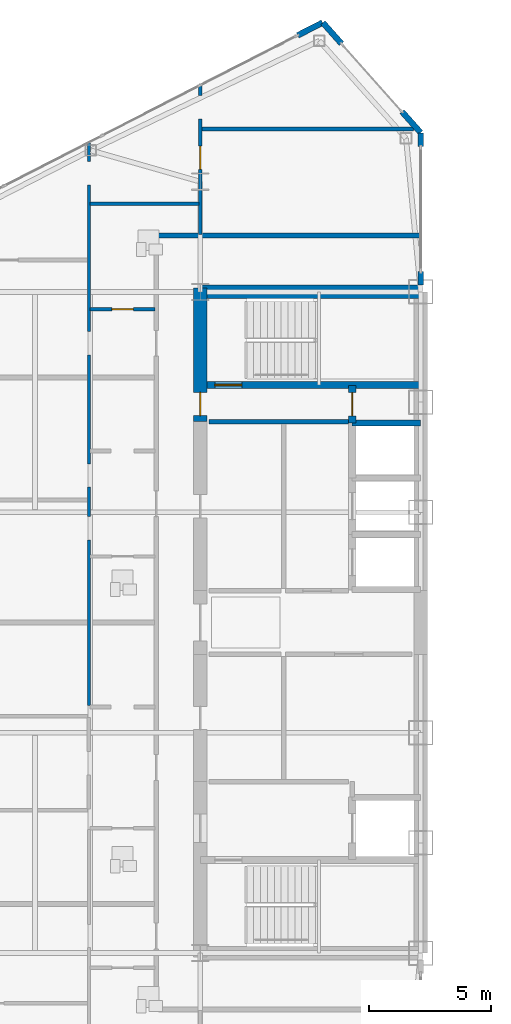
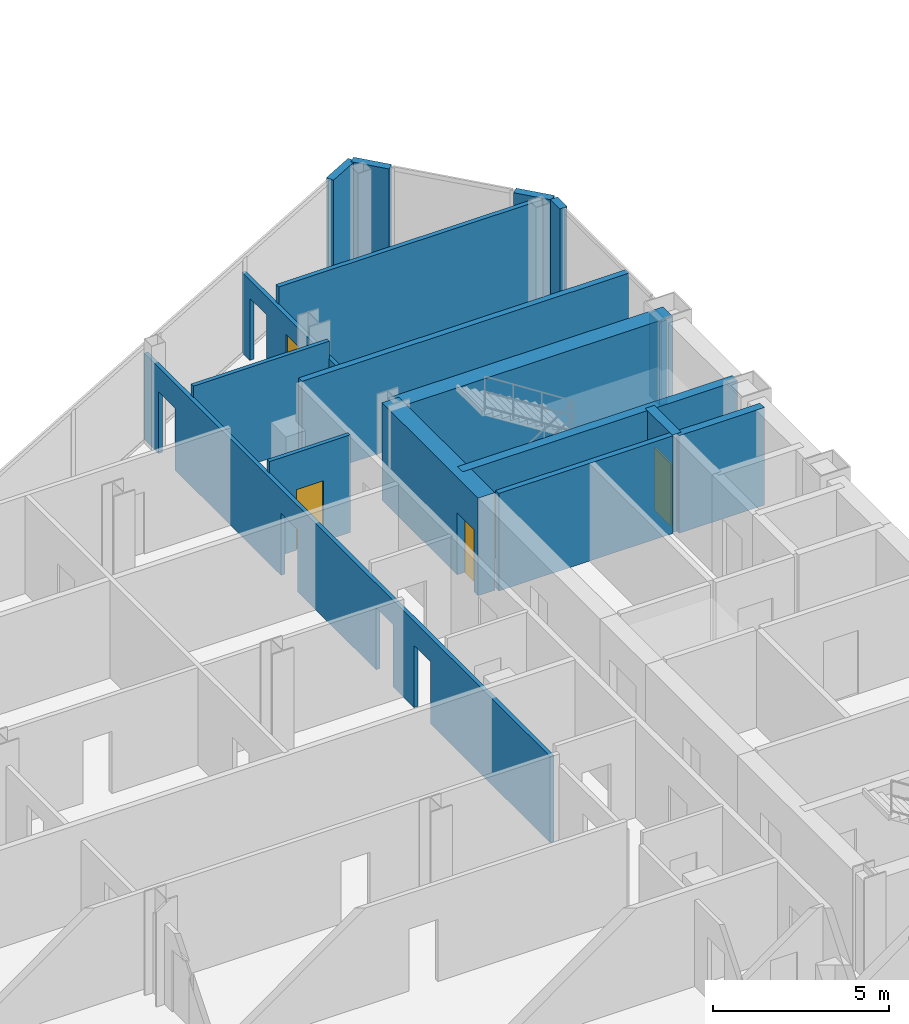
# One storey, part 17 of 23: 17 walls, 5 doors, 10 openings.
"""IFC4 building model written with IfcOpenShell, lengths in metres."""

from ifc_helpers import new_model, si_unit, direction, frame, frame_2d, origin, place, context, subcontext, project, spatial, rectangle, extrude, source, transform, mapped, material, layer, layer_set, type_object, type_shapes, element, fill, save


model = new_model("IFC4")

# Units and contexts
model_context = context("Model", 3, precision=1e-05, world=origin(), true_north=direction((0.0, 1.0)))
body_context = subcontext(model_context, "Body", "Model", "MODEL_VIEW")
ifc_project = project(units=[si_unit("LENGTHUNIT", "METRE"), si_unit("AREAUNIT", "SQUARE_METRE"), si_unit("VOLUMEUNIT", "CUBIC_METRE"), si_unit("PLANEANGLEUNIT", "RADIAN"), si_unit("MASSUNIT", "GRAM", prefix="KILO")], contexts=[model_context])

# Site, building, storey
site_placement = place(None, origin())
site = spatial("IfcSite", under=ifc_project, at=site_placement, CompositionType="ELEMENT")
building_placement = place(site_placement, origin())
building = spatial("IfcBuilding", under=site, at=building_placement, Name="Seokmaru Belvedere", CompositionType="ELEMENT")
storey_placement = place(building_placement, frame((0.0, 0.0, 144.0)))
storey = spatial("IfcBuildingStorey", under=building, at=storey_placement, Name="L38", CompositionType="ELEMENT", Elevation=144.0)

# Walls
ifc_material_1 = material(Name="Fire-Rated Gypsum Shaftwall")
ifc_layer_1 = layer(ifc_material_1, 0.14990234375)
ifc_layer_set_1 = layer_set([ifc_layer_1], Name="Fire-Rated Gypsum Shaftwall")
wall_type_1 = type_object("IfcWallType", Name="Apartment Fire-Acoustic Room Partition 150", PredefinedType="PARTITIONING", material=ifc_layer_set_1)
wall_1_placement = place(storey_placement, frame((-36.449951171875, 20.14990234375, 0.0), z_axis=(0.0, 0.0, 1.0), x_axis=(1.0, 0.0, 0.0)))
element("IfcWall", 1, at=wall_1_placement, inside=storey, type_object=wall_type_1, Name="L38 Interior Partition 033", PredefinedType="PARTITIONING", context=body_context, shape_type="SweptSolid", body=[
    extrude(rectangle(XDim=8.6494140625, YDim=0.14990234375, at=frame_2d((4.32470703125, 0.0))), origin(), (0.0, 0.0, 1.0), 3.3798828125),
])
ifc_layer_2 = layer(ifc_material_1, 0.179931640625)
ifc_layer_set_2 = layer_set([ifc_layer_2], Name="Fire-Rated Gypsum Shaftwall")
wall_type_2 = type_object("IfcWallType", Name="Core Service Fire Partition 180", PredefinedType="PARTITIONING", material=ifc_layer_set_2)
wall_2_placement = place(storey_placement, frame((-36.14990234375, 8.199951171875, 0.0), z_axis=(0.0, 0.0, 1.0), x_axis=(1.0, 0.0, 0.0)))
element("IfcWall", 2, at=wall_2_placement, inside=storey, type_object=wall_type_2, Name="L38 West Smokeproof Vestibule Partition", PredefinedType="PARTITIONING", context=body_context, shape_type="SweptSolid", body=[
    extrude(rectangle(XDim=5.699951171875, YDim=0.179931640625, at=frame_2d((2.85009765625, 0.0))), origin(), (0.0, 0.0, 1.0), 3.3798828125),
])
ifc_material_2 = material(Name="Concrete C50 (50 MPa)", Category="concrete")
ifc_layer_3 = layer(ifc_material_2, 0.25)
ifc_layer_set_3 = layer_set([ifc_layer_3], Name="Concrete C50 (50 MPa)")
wall_type_3 = type_object("IfcWallType", Name="Hoistway Transverse Concrete Divider Wall 250", PredefinedType="SHEAR", material=ifc_layer_set_3)
wall_3_placement = place(storey_placement, frame((-30.300048828125, 8.14990234375, 0.0), z_axis=(0.0, 0.0, 1.0), x_axis=(1.0, 0.0, 0.0)))
element("IfcWall", 3, at=wall_3_placement, inside=storey, type_object=wall_type_3, Name="L38 West Hoistway Divider Core Wall 5", PredefinedType="SHEAR", context=body_context, shape_type="SweptSolid", body=[
    extrude(rectangle(XDim=2.800048828125, YDim=0.25, at=frame_2d((1.39990234375, 0.0))), origin(), (0.0, 0.0, 1.0), 3.3798828125),
])
ifc_layer_4 = layer(ifc_material_1, 0.199951171875)
ifc_layer_set_4 = layer_set([ifc_layer_4], Name="Fire-Rated Gypsum Shaftwall")
wall_type_4 = type_object("IfcWallType", Name="Inter-Tenancy Fire Compartment Partition 200", PredefinedType="PARTITIONING", material=ifc_layer_set_4)
wall_4_placement = place(storey_placement, frame((-38.215087890625, 15.800048828125, 0.0), z_axis=(0.0, 0.0, 1.0), x_axis=(1.0, 0.0, 0.0)))
element("IfcWall", 4, at=wall_4_placement, inside=storey, type_object=wall_type_4, Name="L38 Interior Partition 030", PredefinedType="PARTITIONING", context=body_context, shape_type="SweptSolid", body=[
    extrude(rectangle(XDim=10.715087890625, YDim=0.199951171875, at=frame_2d((5.357421875, 0.0))), origin(), (0.0, 0.0, 1.0), 3.3798828125),
])

# Wall, opening, door
ifc_layer_5 = layer(ifc_material_2, 0.300048828125)
ifc_layer_set_5 = layer_set([ifc_layer_5], Name="Concrete C50 (50 MPa)")
wall_type_5 = type_object("IfcWallType", Name="Internal Core Stair and Hoistway Wall 300", PredefinedType="SHEAR", material=ifc_layer_set_5)
wall_5_placement = place(storey_placement, frame((-36.5, 9.699951171875, 0.0), z_axis=(0.0, 0.0, 1.0), x_axis=(1.0, 0.0, 0.0)))
wall_5 = element("IfcWall", 5, at=wall_5_placement, inside=storey, type_object=wall_type_5, Name="L38 West Stair ST-2 Enclosure Wall", PredefinedType="SHEAR", context=body_context, shape_type="SweptSolid", body=[
    extrude(rectangle(XDim=9.0, YDim=0.300048828125, at=frame_2d((4.5, 0.0))), origin(), (0.0, 0.0, 1.0), 3.3798828125),
])
opening_1_placement = place(wall_5_placement, frame((0.60009765625, 0.0, 0.0)))
opening_1 = element("IfcOpeningElement", 6, at=opening_1_placement, cuts=wall_5, Name="Opening D01", PredefinedType="OPENING", context=body_context, shape_type="SweptSolid", body=[
    extrude(rectangle(XDim=1.10009765625, YDim=2.199951171875, at=frame_2d((0.550048828125, 1.10009765625))), frame((0.0, 0.16015625, 0.0), z_axis=(0.0, -1.0, 0.0), x_axis=(1.0, 0.0, 0.0)), (0.0, 0.0, 1.0), 0.320068359375),
])
ifc_material_3 = material(Name="Fire-Rated Steel Leaf", Category="steel")
door_type_1 = type_object("IfcDoorType", Name="Special Escape Stair Smokeproof Fire Door 1100x2200", OperationType="NOTDEFINED", PredefinedType="DOOR", material=ifc_material_3)
shared_shape_1 = source(origin(), body_context, "Body", "SweptSolid", [
    extrude(rectangle(XDim=1.10009765625, YDim=2.199951171875, at=frame_2d((0.550048828125, 1.10009765625))), frame((0.0, 0.02490234375, 0.0), z_axis=(0.0, -1.0, 0.0), x_axis=(1.0, 0.0, 0.0)), (0.0, 0.0, 1.0), 0.050048828125),
])
type_shapes(door_type_1, [shared_shape_1])
door_1_placement = place(opening_1_placement, origin())
door_1 = element("IfcDoor", 7, at=door_1_placement, inside=storey, type_object=door_type_1, Name="L38 West Special Escape Stair ST-2 Door", OperationType="SINGLE_SWING_RIGHT", OverallHeight=2.199951171875, OverallWidth=1.10009765625, PredefinedType="DOOR", context=body_context, shape_type="MappedRepresentation", body=[
    mapped(shared_shape_1, transform((0.0, 0.0, 0.0), scale=1.0)),
])
fill(opening_1, door_1)

wall_6_placement = place(storey_placement, frame((-30.300048828125, 8.14990234375, 0.0), z_axis=(0.0, 0.0, 1.0), x_axis=(0.0, 1.0, 0.0)))
wall_6 = element("IfcWall", 8, at=wall_6_placement, inside=storey, type_object=wall_type_5, Name="L38 West Electrical Riser Front Wall", PredefinedType="SHEAR", context=body_context, shape_type="SweptSolid", body=[
    extrude(rectangle(XDim=1.530029296875, YDim=0.300048828125, at=frame_2d((0.76513671875, 0.0))), origin(), (0.0, 0.0, 1.0), 3.3798828125),
])
opening_2_placement = place(wall_6_placement, frame((0.284912109375, 0.0, 0.0)))
opening_2 = element("IfcOpeningElement", 9, at=opening_2_placement, cuts=wall_6, Name="Opening D04", PredefinedType="OPENING", context=body_context, shape_type="SweptSolid", body=[
    extrude(rectangle(XDim=0.949951171875, YDim=2.14990234375, at=frame_2d((0.47509765625, 1.074951171875))), frame((0.0, 0.16015625, 0.0), z_axis=(0.0, -1.0, 0.0), x_axis=(1.0, 0.0, 0.0)), (0.0, 0.0, 1.0), 0.320068359375),
])
door_type_2 = type_object("IfcDoorType", Name="Core Service Room Fire Door 950x2150", OperationType="NOTDEFINED", PredefinedType="DOOR", material=ifc_material_3)
shared_shape_2 = source(origin(), body_context, "Body", "SweptSolid", [
    extrude(rectangle(XDim=0.949951171875, YDim=2.14990234375, at=frame_2d((0.47509765625, 1.074951171875))), frame((0.0, 0.02490234375, 0.0), z_axis=(0.0, -1.0, 0.0), x_axis=(1.0, 0.0, 0.0)), (0.0, 0.0, 1.0), 0.050048828125),
])
type_shapes(door_type_2, [shared_shape_2])
door_2_placement = place(opening_2_placement, origin())
door_2 = element("IfcDoor", 10, at=door_2_placement, inside=storey, type_object=door_type_2, Name="L38 West Electrical Riser Access Door", OperationType="SINGLE_SWING_LEFT", OverallHeight=2.14990234375, OverallWidth=0.949951171875, PredefinedType="DOOR", context=body_context, shape_type="MappedRepresentation", body=[
    mapped(shared_shape_2, transform((0.0, 0.0, 0.0), scale=1.0)),
])
fill(opening_2, door_2)

# Wall
ifc_layer_6 = layer(ifc_material_2, 0.550048828125)
ifc_layer_set_6 = layer_set([ifc_layer_6], Name="Concrete C50 (50 MPa)")
wall_type_6 = type_object("IfcWallType", Name="Mid-High Reinforced Concrete Core Wall 550", PredefinedType="SHEAR", material=ifc_layer_set_6)
wall_7_placement = place(storey_placement, frame((-36.5, 13.5, 0.0), z_axis=(0.0, 0.0, 1.0), x_axis=(1.0, 0.0, 0.0)))
element("IfcWall", 11, at=wall_7_placement, inside=storey, type_object=wall_type_6, Name="L38 West North Core Wall", PredefinedType="SHEAR", context=body_context, shape_type="SweptSolid", body=[
    extrude(rectangle(XDim=9.0, YDim=0.550048828125, at=frame_2d((4.5, 0.0))), origin(), (0.0, 0.0, 1.0), 3.3798828125),
])

# Wall, opening, door
wall_8_placement = place(storey_placement, frame((-36.5, 8.199951171875, 0.0), z_axis=(0.0, 0.0, 1.0), x_axis=(0.0, 1.0, 0.0)))
wall_8 = element("IfcWall", 12, at=wall_8_placement, inside=storey, type_object=wall_type_6, Name="L38 West West Core Wall VST", PredefinedType="SHEAR", context=body_context, shape_type="SweptSolid", body=[
    extrude(rectangle(XDim=5.449951171875, YDim=0.550048828125, at=frame_2d((2.72509765625, 0.0))), origin(), (0.0, 0.0, 1.0), 3.3798828125),
])
opening_3_placement = place(wall_8_placement, frame((0.2451171875, 0.0, 0.0)))
opening_3 = element("IfcOpeningElement", 13, at=opening_3_placement, cuts=wall_8, Name="Opening D04", PredefinedType="OPENING", context=body_context, shape_type="SweptSolid", body=[
    extrude(rectangle(XDim=0.949951171875, YDim=2.14990234375, at=frame_2d((0.47509765625, 1.074951171875))), frame((0.0, 0.28515625, 0.0), z_axis=(0.0, -1.0, 0.0), x_axis=(1.0, 0.0, 0.0)), (0.0, 0.0, 1.0), 0.570068359375),
])
door_3_placement = place(opening_3_placement, frame((0.949951171875, 0.0, 0.0), z_axis=(0.0, 0.0, 1.0), x_axis=(-1.0, 0.0, 0.0)))
door_3 = element("IfcDoor", 14, at=door_3_placement, inside=storey, type_object=door_type_2, Name="L38 West Smokeproof Vestibule Door", OperationType="SINGLE_SWING_RIGHT", OverallHeight=2.14990234375, OverallWidth=0.949951171875, PredefinedType="DOOR", context=body_context, shape_type="MappedRepresentation", body=[
    mapped(shared_shape_2, transform((0.0, 0.0, 0.0), scale=1.0)),
])
fill(opening_3, door_3)

ifc_layer_7 = layer(ifc_material_1, 0.1298828125)
ifc_layer_set_7 = layer_set([ifc_layer_7], Name="Fire-Rated Gypsum Shaftwall")
wall_type_7 = type_object("IfcWallType", Name="Moisture-Resistant Fire-Rated Bathroom Partition 130", PredefinedType="PARTITIONING", material=ifc_layer_set_7)
wall_9_placement = place(storey_placement, frame((-41.0, 12.7900390625, 0.0), z_axis=(0.0, 0.0, 1.0), x_axis=(1.0, 0.0, 0.0)))
wall_9 = element("IfcWall", 15, at=wall_9_placement, inside=storey, type_object=wall_type_7, Name="L38 Interior Partition 028", PredefinedType="PARTITIONING", context=body_context, shape_type="SweptSolid", body=[
    extrude(rectangle(XDim=2.64990234375, YDim=0.1298828125, at=frame_2d((1.324951171875, 0.0))), origin(), (0.0, 0.0, 1.0), 3.3798828125),
])
opening_4_placement = place(wall_9_placement, frame((0.885009765625, 0.0, 0.0)))
opening_4 = element("IfcOpeningElement", 16, at=opening_4_placement, cuts=wall_9, Name="Opening D06", PredefinedType="OPENING", context=body_context, shape_type="SweptSolid", body=[
    extrude(rectangle(XDim=0.8798828125, YDim=2.10009765625, at=frame_2d((0.43994140625, 1.050048828125))), frame((0.0, 0.074951171875, 0.0), z_axis=(0.0, -1.0, 0.0), x_axis=(1.0, 0.0, 0.0)), (0.0, 0.0, 1.0), 0.14990234375),
])
ifc_material_4 = material(Name="Engineered White Oak Timber", Category="wood")
door_type_3 = type_object("IfcDoorType", Name="Bathroom and Restroom Fire-Rated Door 880x2100", OperationType="NOTDEFINED", PredefinedType="DOOR", material=ifc_material_4)
shared_shape_3 = source(origin(), body_context, "Body", "SweptSolid", [
    extrude(rectangle(XDim=0.8798828125, YDim=2.10009765625, at=frame_2d((0.43994140625, 1.050048828125))), frame((0.0, 0.02490234375, 0.0), z_axis=(0.0, -1.0, 0.0), x_axis=(1.0, 0.0, 0.0)), (0.0, 0.0, 1.0), 0.050048828125),
])
type_shapes(door_type_3, [shared_shape_3])
door_4_placement = place(opening_4_placement, origin())
door_4 = element("IfcDoor", 17, at=door_4_placement, inside=storey, type_object=door_type_3, Name="L38 Interior Door 029", OperationType="SINGLE_SWING_LEFT", OverallHeight=2.10009765625, OverallWidth=0.8798828125, PredefinedType="DOOR", context=body_context, shape_type="MappedRepresentation", body=[
    mapped(shared_shape_3, transform((0.0, 0.0, 0.0), scale=1.0)),
])
fill(opening_4, door_4)

# Wall
wall_10_placement = place(storey_placement, frame((-41.0, 17.10009765625, 0.0), z_axis=(0.0, 0.0, 1.0), x_axis=(1.0, 0.0, 0.0)))
element("IfcWall", 18, at=wall_10_placement, inside=storey, type_object=wall_type_7, Name="L38 Interior Partition 032", PredefinedType="PARTITIONING", context=body_context, shape_type="SweptSolid", body=[
    extrude(rectangle(XDim=4.449951171875, YDim=0.1298828125, at=frame_2d((2.22509765625, 0.0))), origin(), (0.0, 0.0, 1.0), 3.3798828125),
])

# Wall, openings
wall_11_placement = place(storey_placement, frame((-41.050048828125, -3.39794921875, 0.0), z_axis=(0.0, 0.0, 1.0), x_axis=(0.0, 1.0, 0.0)))
wall_11 = element("IfcWall", 19, at=wall_11_placement, inside=storey, type_object=wall_type_7, Name="L38 Interior Partition 039", PredefinedType="PARTITIONING", context=body_context, shape_type="SweptSolid", body=[
    extrude(rectangle(XDim=23.031982421875, YDim=0.1298828125, at=frame_2d((11.51611328125, 0.0))), origin(), (0.0, 0.0, 1.0), 2.989990234375),
])
opening_5_placement = place(wall_11_placement, frame((6.77197265625, 0.0, 0.0)))
element("IfcOpeningElement", 20, at=opening_5_placement, cuts=wall_11, Name="L38 Cased Opening 021", PredefinedType="OPENING", context=body_context, shape_type="SweptSolid", body=[
    extrude(rectangle(XDim=0.949951171875, YDim=2.14990234375, at=frame_2d((0.47509765625, 1.074951171875))), frame((0.0, 0.074951171875, 0.0), z_axis=(0.0, -1.0, 0.0), x_axis=(1.0, 0.0, 0.0)), (0.0, 0.0, 1.0), 0.14990234375),
])
opening_6_placement = place(wall_11_placement, frame((8.924072265625, 0.0, 0.0)))
element("IfcOpeningElement", 21, at=opening_6_placement, cuts=wall_11, Name="L38 Cased Opening 022", PredefinedType="OPENING", context=body_context, shape_type="SweptSolid", body=[
    extrude(rectangle(XDim=0.949951171875, YDim=2.14990234375, at=frame_2d((0.47509765625, 1.074951171875))), frame((0.0, 0.074951171875, 0.0), z_axis=(0.0, -1.0, 0.0), x_axis=(1.0, 0.0, 0.0)), (0.0, 0.0, 1.0), 0.14990234375),
])
opening_7_placement = place(wall_11_placement, frame((14.320556640625, 0.0, 0.0)))
element("IfcOpeningElement", 22, at=opening_7_placement, cuts=wall_11, Name="L38 Cased Opening 030", PredefinedType="OPENING", context=body_context, shape_type="SweptSolid", body=[
    extrude(rectangle(XDim=0.949951171875, YDim=2.14990234375, at=frame_2d((0.47509765625, 1.074951171875))), frame((0.0, 0.074951171875, 0.0), z_axis=(0.0, -1.0, 0.0), x_axis=(1.0, 0.0, 0.0)), (0.0, 0.0, 1.0), 0.14990234375),
])
opening_8_placement = place(wall_11_placement, frame((21.272705078125, 0.0, 0.0)))
element("IfcOpeningElement", 23, at=opening_8_placement, cuts=wall_11, Name="L38 Cased Opening 033", PredefinedType="OPENING", context=body_context, shape_type="SweptSolid", body=[
    extrude(rectangle(XDim=0.949951171875, YDim=2.14990234375, at=frame_2d((0.47509765625, 1.074951171875))), frame((0.0, 0.074951171875, 0.0), z_axis=(0.0, -1.0, 0.0), x_axis=(1.0, 0.0, 0.0)), (0.0, 0.0, 1.0), 0.14990234375),
])

# Wall, openings, door
wall_12_placement = place(storey_placement, frame((-36.5, 15.85009765625, 0.0), z_axis=(0.0, 0.0, 1.0), x_axis=(0.0, 1.0, 0.0)))
wall_12 = element("IfcWall", 24, at=wall_12_placement, inside=storey, type_object=wall_type_7, Name="L38 Interior Partition 042", PredefinedType="PARTITIONING", context=body_context, shape_type="SweptSolid", body=[
    extrude(rectangle(XDim=6.118896484375, YDim=0.1298828125, at=frame_2d((3.0595703125, 0.0))), origin(), (0.0, 0.0, 1.0), 2.780029296875),
])
opening_9_placement = place(wall_12_placement, frame((2.65625, 0.0, 0.0)))
opening_9 = element("IfcOpeningElement", 25, at=opening_9_placement, cuts=wall_12, Name="Opening D05", PredefinedType="OPENING", context=body_context, shape_type="SweptSolid", body=[
    extrude(rectangle(XDim=0.949951171875, YDim=2.14990234375, at=frame_2d((0.47509765625, 1.074951171875))), frame((0.0, 0.074951171875, 0.0), z_axis=(0.0, -1.0, 0.0), x_axis=(1.0, 0.0, 0.0)), (0.0, 0.0, 1.0), 0.14990234375),
])
opening_10_placement = place(wall_12_placement, frame((4.717041015625, 0.0, 0.0)))
element("IfcOpeningElement", 26, at=opening_10_placement, cuts=wall_12, Name="L38 Cased Opening 035", PredefinedType="OPENING", context=body_context, shape_type="SweptSolid", body=[
    extrude(rectangle(XDim=0.949951171875, YDim=2.14990234375, at=frame_2d((0.47509765625, 1.074951171875))), frame((0.0, 0.074951171875, 0.0), z_axis=(0.0, -1.0, 0.0), x_axis=(1.0, 0.0, 0.0)), (0.0, 0.0, 1.0), 0.14990234375),
])
door_type_4 = type_object("IfcDoorType", Name="Apartment Interior Fire-Rated Oak Door 950x2150", OperationType="NOTDEFINED", PredefinedType="DOOR", material=ifc_material_4)
shared_shape_4 = source(origin(), body_context, "Body", "SweptSolid", [
    extrude(rectangle(XDim=0.949951171875, YDim=2.14990234375, at=frame_2d((0.47509765625, 1.074951171875))), frame((0.0, 0.02490234375, 0.0), z_axis=(0.0, -1.0, 0.0), x_axis=(1.0, 0.0, 0.0)), (0.0, 0.0, 1.0), 0.050048828125),
])
type_shapes(door_type_4, [shared_shape_4])
door_5_placement = place(opening_9_placement, origin())
door_5 = element("IfcDoor", 27, at=door_5_placement, inside=storey, type_object=door_type_4, Name="L38 Interior Door 034", OperationType="SINGLE_SWING_LEFT", OverallHeight=2.14990234375, OverallWidth=0.949951171875, PredefinedType="DOOR", context=body_context, shape_type="MappedRepresentation", body=[
    mapped(shared_shape_4, transform((0.0, 0.0, 0.0), scale=1.0)),
])
fill(opening_9, door_5)

# Walls
ifc_material_5 = material(Name="Anodised Bronze Aluminium", Category="aluminium")
ifc_layer_8 = layer(ifc_material_5, 0.239990234375)
ifc_layer_set_8 = layer_set([ifc_layer_8], Name="Anodised Bronze Aluminium")
wall_type_8 = type_object("IfcWallType", Name="Tower Corner Spandrel Closure Wall 240", PredefinedType="SOLIDWALL", material=ifc_layer_set_8)
wall_13_placement = place(storey_placement, frame((-27.5, 13.780029296875, 0.0), z_axis=(0.0, 0.0, 1.0), x_axis=(0.0, 1.0, 0.0)))
element("IfcWall", 28, at=wall_13_placement, inside=storey, type_object=wall_type_8, Name="L38 W Spine Closure Pier 2A", PredefinedType="SOLIDWALL", context=body_context, shape_type="SweptSolid", body=[
    extrude(rectangle(XDim=0.550048828125, YDim=0.239990234375, at=frame_2d((0.27490234375, 0.0))), origin(), (0.0, 0.0, 1.0), 2.8798828125),
])
wall_14_placement = place(storey_placement, frame((-27.5, 19.429931640625, 0.0), z_axis=(0.0, 0.0, 1.0), x_axis=(0.0, 1.0, 0.0)))
element("IfcWall", 29, at=wall_14_placement, inside=storey, type_object=wall_type_8, Name="L38 W Spine Closure Pier 2B", PredefinedType="SOLIDWALL", context=body_context, shape_type="SweptSolid", body=[
    extrude(rectangle(XDim=0.550048828125, YDim=0.239990234375, at=frame_2d((0.27490234375, 0.0))), origin(), (0.0, 0.0, 1.0), 3.3798828125),
])
for number, where, z_axis, x_axis, name in (
    (30, (-27.506591796875, 20.007568359375, 0.0), (0.0, 0.0, 1.0), (-0.664337252513, 0.747432950119, 0.0), "L38 W Corner Closure Pier 2A"),
    (31, (-30.736083984375, 23.640380859375, 0.0), (0.0, 0.0, 1.0), (-0.664337252513, 0.747432950119, 0.0), "L38 W Corner Closure Pier 2B"),
):
    element("IfcWall", number, at=place(storey_placement, frame(where, z_axis=z_axis, x_axis=x_axis)), inside=storey, type_object=wall_type_8, Name=name, PredefinedType="SOLIDWALL", context=body_context, shape_type="SweptSolid", body=[
        extrude(rectangle(XDim=1.139892578125, YDim=0.239990234375, at=frame_2d((0.56982421875, 0.0))), origin(), (0.0, 0.0, 1.0), 3.3798828125),
    ])
wall_15_placement = place(storey_placement, frame((-31.5087890625, 24.495361328125, 0.0), z_axis=(0.0, 0.0, 1.0), x_axis=(-0.889797395748, -0.456355776255, 0.0)))
element("IfcWall", 32, at=wall_15_placement, inside=storey, type_object=wall_type_8, Name="L38 W Corner Closure Pier 3A", PredefinedType="SOLIDWALL", context=body_context, shape_type="SweptSolid", body=[
    extrude(rectangle(XDim=1.14013671875, YDim=0.239990234375, at=frame_2d((0.570068359375, 0.0))), origin(), (0.0, 0.0, 1.0), 3.3798828125),
])

save(model, "model.ifc")
